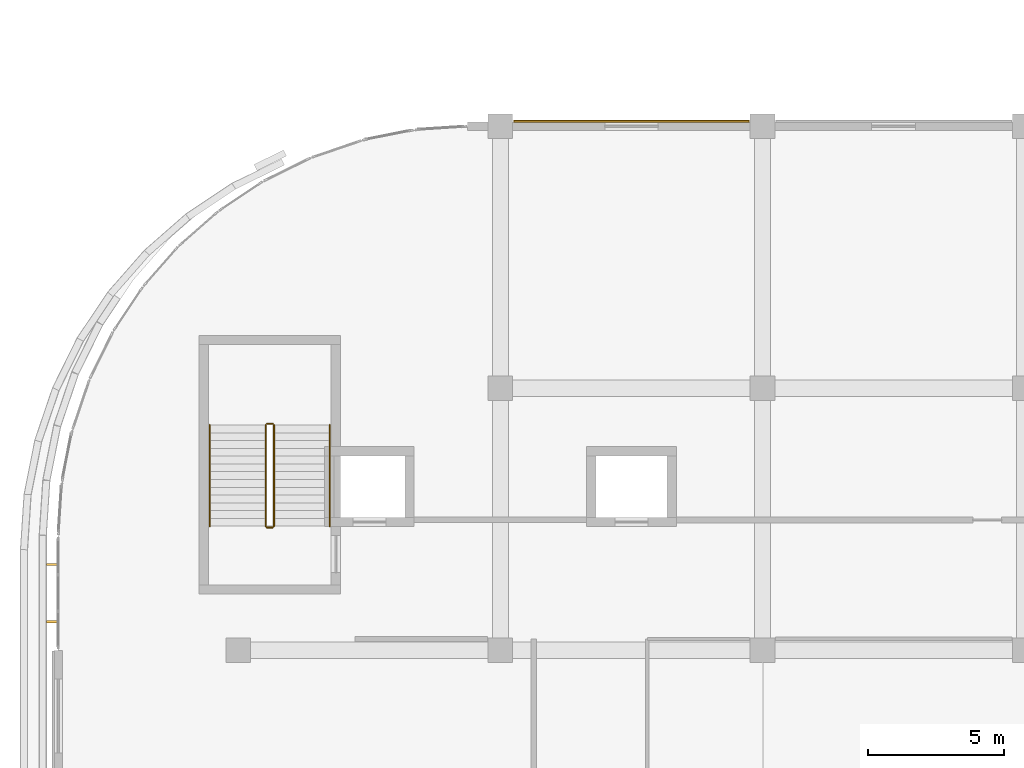
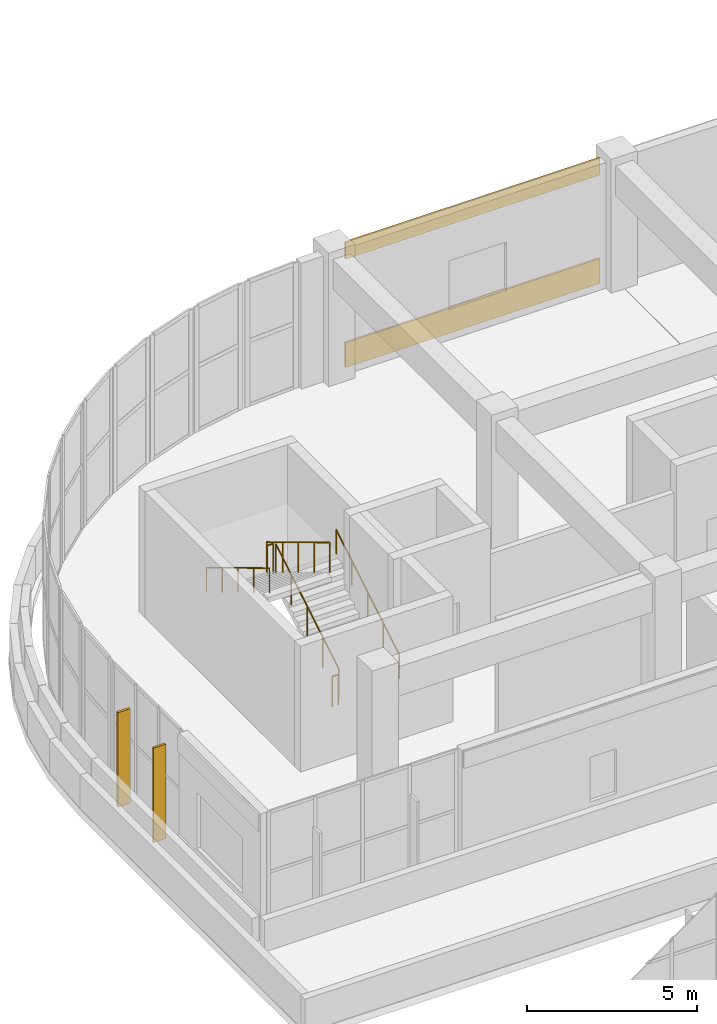
# One storey, part 86 of 96: 6 railings, 2 coverings, 2 shading devices.
"""IFC4 building model written with IfcOpenShell, lengths in metres."""

from ifc_helpers import new_model, si_unit, direction, frame, origin, origin_2d, place, context, subcontext, project, spatial, rectangle, circle, extrude, material, layer, layer_set, type_object, element, save


model = new_model("IFC4")

# Units and contexts
model_context = context("Model", 3, precision=1e-05, world=origin(), true_north=direction((0.0, 1.0)))
body_context = subcontext(model_context, "Body", "Model", "MODEL_VIEW")
ifc_project = project(units=[si_unit("LENGTHUNIT", "METRE"), si_unit("AREAUNIT", "SQUARE_METRE"), si_unit("VOLUMEUNIT", "CUBIC_METRE"), si_unit("PLANEANGLEUNIT", "RADIAN"), si_unit("MASSUNIT", "GRAM", prefix="KILO")], contexts=[model_context])

# Site, building, storey
site_placement = place(None, origin())
site = spatial("IfcSite", under=ifc_project, at=site_placement, CompositionType="ELEMENT")
building_placement = place(site_placement, origin())
building = spatial("IfcBuilding", under=site, at=building_placement, Name="Cendralis Terraced Arcade", CompositionType="ELEMENT")
storey_placement = place(building_placement, frame((0.0, 0.0, 10.199951171875)))
storey = spatial("IfcBuildingStorey", under=building, at=storey_placement, Name="L02", CompositionType="ELEMENT", Elevation=10.199951171875)

# Coverings
ifc_material_1 = material(Name="Precast concrete f'c 40 MPa", Category="concrete")
ifc_layer = layer(ifc_material_1, 0.06494140625, Name="COV-CLAD-GRC-65")
ifc_layer_set = layer_set([ifc_layer], Name="Precast concrete f'c 40 MPa")
covering_type = type_object("IfcCoveringType", Name="COV-CLAD-GRC-65", PredefinedType="CLADDING", material=ifc_layer_set)
covering_1_placement = place(storey_placement, frame((24.0, 88.97998046875, 0.0), z_axis=(0.0, 0.0, 1.0), x_axis=(1.0, 0.0, 0.0)))
element("IfcCovering", 1, at=covering_1_placement, inside=storey, type_object=covering_type, Name="Banded Precast Stone Spandrel Cladding L02-259", PredefinedType="CLADDING", context=body_context, shape_type="SweptSolid", body=[
    extrude(rectangle(XDim=8.64404296875, YDim=0.06494140625, at=origin_2d()), origin(), (0.0, 0.0, 1.0), 0.89990234375),
])
covering_2_placement = place(storey_placement, frame((24.0, 88.97998046875, 3.89501953125), z_axis=(0.0, 0.0, 1.0), x_axis=(1.0, 0.0, 0.0)))
element("IfcCovering", 2, at=covering_2_placement, inside=storey, type_object=covering_type, Name="Banded Precast Stone Lintel Cladding L02-260", PredefinedType="CLADDING", context=body_context, shape_type="SweptSolid", body=[
    extrude(rectangle(XDim=8.64404296875, YDim=0.06494140625, at=origin_2d()), origin(), (0.0, 0.0, 1.0), 0.60009765625),
])

# Railings
ifc_material_2 = material(Name="Brushed stainless steel AISI 316", Category="steel")
railing_type_1 = type_object("IfcRailingType", Name="RL-STAIR-GUARD-1100", PredefinedType="GUARDRAIL", material=ifc_material_2)
railing_1_placement = place(storey_placement, frame((10.89990234375, 74.14990234375, 0.17138671875)))
element("IfcRailing", 3, at=railing_1_placement, inside=storey, type_object=railing_type_1, Name="L02 ST-07 stair guard 1", PredefinedType="GUARDRAIL", context=body_context, shape_type="SweptSolid", body=[
    extrude(circle(Radius=0.02392578125, at=origin_2d()), frame((0.0, 0.0, 1.076171875), z_axis=(0.0, 0.856909459561, 0.515466951525), x_axis=(-1.0, 0.0, 0.0)), (0.0, 0.0, 1.0), 4.32373046875),
    extrude(circle(Radius=0.02099609375, at=origin_2d()), origin(), (0.0, 0.0, 1.0), 1.052001953125),
    extrude(circle(Radius=0.02099609375, at=origin_2d()), frame((0.0, 0.92626953125, 0.55712890625)), (0.0, 0.0, 1.0), 1.052001953125),
    extrude(circle(Radius=0.02099609375, at=origin_2d()), frame((0.0, 1.8525390625, 1.1142578125)), (0.0, 0.0, 1.0), 1.052001953125),
    extrude(circle(Radius=0.02099609375, at=origin_2d()), frame((0.0, 2.77880859375, 1.671630859375)), (0.0, 0.0, 1.0), 1.052001953125),
    extrude(circle(Radius=0.02099609375, at=origin_2d()), frame((0.0, 3.705078125, 2.228759765625)), (0.0, 0.0, 1.0), 1.052001953125),
])
railing_2_placement = place(storey_placement, frame((10.85009765625, 77.905029296875, 2.400146484375)))
element("IfcRailing", 4, at=railing_2_placement, inside=storey, type_object=railing_type_1, Name="L02 ST-07 stair guard 2", PredefinedType="GUARDRAIL", context=body_context, shape_type="SweptSolid", body=[
    extrude(circle(Radius=0.02392578125, at=origin_2d()), frame((0.0, 0.0, 1.076171875), z_axis=(-1.0, 0.0, 0.0), x_axis=(0.0, -1.0, 0.0)), (0.0, 0.0, 1.0), 0.2001953125),
    extrude(circle(Radius=0.02099609375, at=origin_2d()), origin(), (0.0, 0.0, 1.0), 1.052001953125),
    extrude(circle(Radius=0.02099609375, at=origin_2d()), frame((-0.2001953125, 0.0, 0.0)), (0.0, 0.0, 1.0), 1.052001953125),
])
railing_3_placement = place(storey_placement, frame((10.60009765625, 77.85498046875, 2.571533203125)))
element("IfcRailing", 5, at=railing_3_placement, inside=storey, type_object=railing_type_1, Name="L02 ST-07 stair guard 3", PredefinedType="GUARDRAIL", context=body_context, shape_type="SweptSolid", body=[
    extrude(circle(Radius=0.02392578125, at=origin_2d()), frame((0.0, 0.0, 1.076171875), z_axis=(0.0, -0.856934400257, 0.515425487977), x_axis=(1.0, 0.0, 0.0)), (0.0, 0.0, 1.0), 4.32373046875),
    extrude(circle(Radius=0.02099609375, at=origin_2d()), origin(), (0.0, 0.0, 1.0), 1.052001953125),
    extrude(circle(Radius=0.02099609375, at=origin_2d()), frame((0.0, -0.92626953125, 0.55712890625)), (0.0, 0.0, 1.0), 1.052001953125),
    extrude(circle(Radius=0.02099609375, at=origin_2d()), frame((0.0, -1.8525390625, 1.1142578125)), (0.0, 0.0, 1.0), 1.052001953125),
    extrude(circle(Radius=0.02099609375, at=origin_2d()), frame((0.0, -2.77880859375, 1.67138671875)), (0.0, 0.0, 1.0), 1.052001953125),
    extrude(circle(Radius=0.02099609375, at=origin_2d()), frame((0.0, -3.705078125, 2.228515625)), (0.0, 0.0, 1.0), 1.052001953125),
])
railing_4_placement = place(storey_placement, frame((10.85009765625, 74.10009765625, 0.0)))
element("IfcRailing", 6, at=railing_4_placement, inside=storey, type_object=railing_type_1, Name="L02 ST-07 stair guard 4", PredefinedType="GUARDRAIL", context=body_context, shape_type="SweptSolid", body=[
    extrude(circle(Radius=0.02392578125, at=origin_2d()), frame((0.0, 0.0, 1.076171875), z_axis=(-1.0, 0.0, 0.0), x_axis=(0.0, -1.0, 0.0)), (0.0, 0.0, 1.0), 0.2001953125),
    extrude(circle(Radius=0.02099609375, at=origin_2d()), origin(), (0.0, 0.0, 1.0), 1.052001953125),
    extrude(circle(Radius=0.02099609375, at=origin_2d()), frame((-0.2001953125, 0.0, 0.0)), (0.0, 0.0, 1.0), 1.052001953125),
])
railing_type_2 = type_object("IfcRailingType", Name="RL-STAIR-HAND-900", PredefinedType="HANDRAIL", material=ifc_material_2)
railing_5_placement = place(storey_placement, frame((12.949951171875, 74.14990234375, 0.17138671875)))
element("IfcRailing", 7, at=railing_5_placement, inside=storey, type_object=railing_type_2, Name="L02 ST-07 stair handrail 1", PredefinedType="HANDRAIL", context=body_context, shape_type="SweptSolid", body=[
    extrude(circle(Radius=0.02392578125, at=origin_2d()), frame((0.0, 0.0, 0.8759765625), z_axis=(0.0, 0.856909459561, 0.515466951525), x_axis=(-1.0, 0.0, 0.0)), (0.0, 0.0, 1.0), 4.32373046875),
    extrude(circle(Radius=0.02099609375, at=origin_2d()), origin(), (0.0, 0.0, 1.0), 0.851806640625),
    extrude(circle(Radius=0.02099609375, at=origin_2d()), frame((0.0, 0.92626953125, 0.55712890625)), (0.0, 0.0, 1.0), 0.851806640625),
    extrude(circle(Radius=0.02099609375, at=origin_2d()), frame((0.0, 1.8525390625, 1.1142578125)), (0.0, 0.0, 1.0), 0.851806640625),
    extrude(circle(Radius=0.02099609375, at=origin_2d()), frame((0.0, 2.77880859375, 1.671630859375)), (0.0, 0.0, 1.0), 0.851806640625),
    extrude(circle(Radius=0.02099609375, at=origin_2d()), frame((0.0, 3.705078125, 2.228759765625)), (0.0, 0.0, 1.0), 0.851806640625),
])
railing_6_placement = place(storey_placement, frame((8.550048828125, 77.85498046875, 2.571533203125)))
element("IfcRailing", 8, at=railing_6_placement, inside=storey, type_object=railing_type_2, Name="L02 ST-07 stair handrail 2", PredefinedType="HANDRAIL", context=body_context, shape_type="SweptSolid", body=[
    extrude(circle(Radius=0.02392578125, at=origin_2d()), frame((0.0, 0.0, 0.8759765625), z_axis=(0.0, -0.856934400257, 0.515425487977), x_axis=(1.0, 0.0, 0.0)), (0.0, 0.0, 1.0), 4.32373046875),
    extrude(circle(Radius=0.02099609375, at=origin_2d()), origin(), (0.0, 0.0, 1.0), 0.851806640625),
    extrude(circle(Radius=0.02099609375, at=origin_2d()), frame((0.0, -0.92626953125, 0.55712890625)), (0.0, 0.0, 1.0), 0.851806640625),
    extrude(circle(Radius=0.02099609375, at=origin_2d()), frame((0.0, -1.8525390625, 1.1142578125)), (0.0, 0.0, 1.0), 0.851806640625),
    extrude(circle(Radius=0.02099609375, at=origin_2d()), frame((0.0, -2.77880859375, 1.67138671875)), (0.0, 0.0, 1.0), 0.851806640625),
    extrude(circle(Radius=0.02099609375, at=origin_2d()), frame((0.0, -3.705078125, 2.228515625)), (0.0, 0.0, 1.0), 0.851806640625),
])

# Shading devices
ifc_material_3 = material(Name="Anodised aluminium EN AW-6063 T6", Category="aluminium")
shading_device_type = type_object("IfcShadingDeviceType", Name="SHD-FIN-420", PredefinedType="USERDEFINED", material=ifc_material_3)
for number, where, z_axis, x_axis, name in (
    (9, (2.784912109375, 70.64990234375, 0.050048828125), (0.0, 0.0, 1.0), (0.0, 1.0, 0.0), "Parametric Vertical Solar Fin FIN-L02-051"),
    (10, (2.784912109375, 72.75, 0.050048828125), (0.0, 0.0, 1.0), (0.0, 1.0, 0.0), "Parametric Vertical Solar Fin FIN-L02-052"),
):
    element("IfcShadingDevice", number, at=place(storey_placement, frame(where, z_axis=z_axis, x_axis=x_axis)), inside=storey, type_object=shading_device_type, Name=name, ObjectType="FIN", PredefinedType="USERDEFINED", context=body_context, shape_type="SweptSolid", body=[
        extrude(rectangle(XDim=0.074951171875, YDim=0.419921875, at=origin_2d()), origin(), (0.0, 0.0, 1.0), 3.39990234375),
    ])

save(model, "model.ifc")
